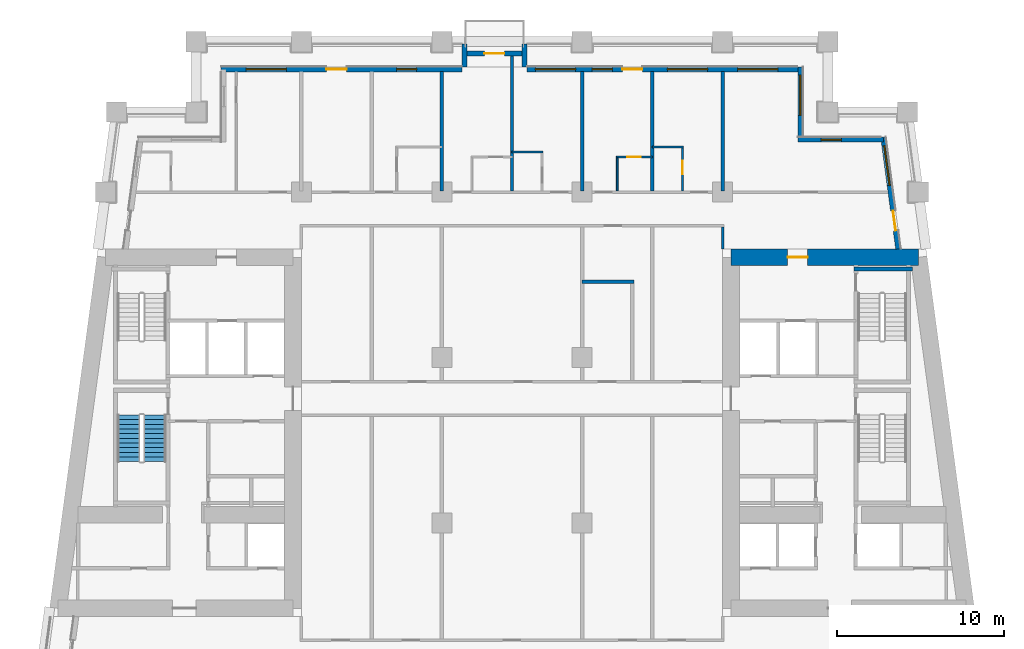
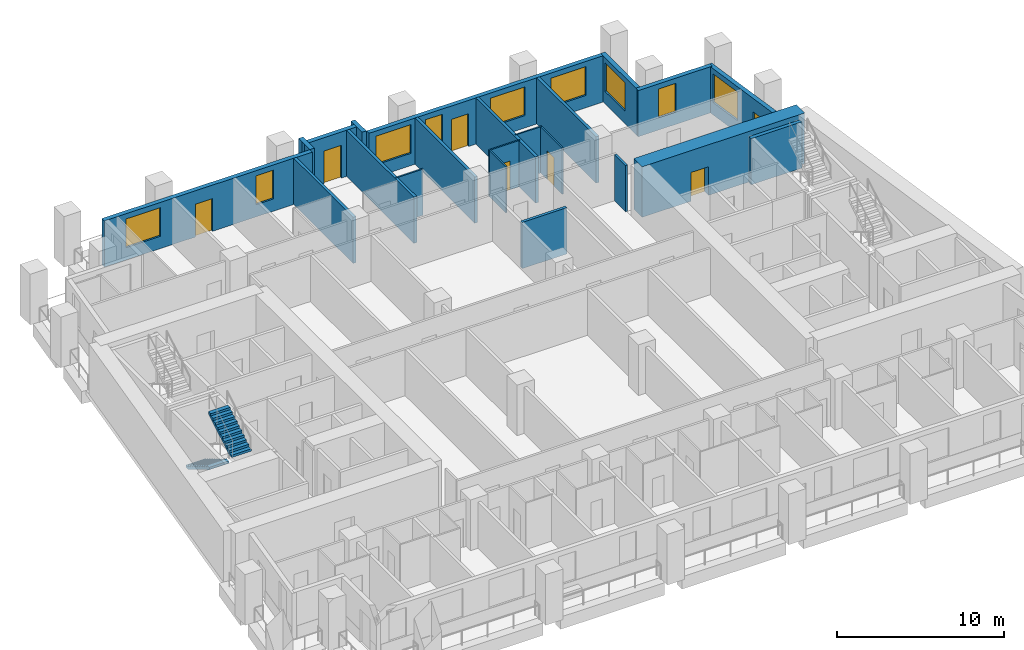
# One storey, part 8 of 14: 22 walls, 9 windows, 7 doors, 2 stair flights, 16 openings, 1 element without a shape of its own.
"""IFC4 building model written with IfcOpenShell, lengths in metres."""

from ifc_helpers import new_model, si_unit, direction, frame, frame_2d, origin, place, context, subcontext, project, spatial, polyline, rectangle, outline, extrude, material, layer, layer_set, type_object, element, fill, aggregate, save


model = new_model("IFC4")

# Units and contexts
model_context = context("Model", 3, precision=1e-05, world=origin(), true_north=direction((0.0, 1.0)))
body_context = subcontext(model_context, "Body", "Model", "MODEL_VIEW")
ifc_project = project(units=[si_unit("LENGTHUNIT", "METRE"), si_unit("AREAUNIT", "SQUARE_METRE"), si_unit("VOLUMEUNIT", "CUBIC_METRE"), si_unit("PLANEANGLEUNIT", "RADIAN"), si_unit("MASSUNIT", "GRAM", prefix="KILO")], contexts=[model_context])

# Site, building, storey
site_placement = place(None, origin())
site = spatial("IfcSite", under=ifc_project, at=site_placement, CompositionType="ELEMENT")
building_placement = place(site_placement, origin())
building = spatial("IfcBuilding", under=site, at=building_placement, Name="Candeia Pilgrim Tower and Theatre", CompositionType="ELEMENT")
storey_placement = place(building_placement, frame((0.0, 0.0, 120.60009765625)))
storey = spatial("IfcBuildingStorey", under=building, at=storey_placement, Name="L28", CompositionType="ELEMENT", Elevation=120.60009765625)

# Wall, opening, door
ifc_material_1 = material(Name="Concrete C70/85", Category="concrete")
ifc_layer_1 = layer(ifc_material_1, 1.0)
ifc_layer_set_1 = layer_set([ifc_layer_1], Name="Core wall 1000 C70/85")
wall_type_1 = type_object("IfcWallType", Name="Core wall 1000 C70/85", PredefinedType="SHEAR", material=ifc_layer_set_1)
wall_1_placement = place(storey_placement, frame((126.5, 131.89990234375, 0.0), z_axis=(0.0, 0.0, 1.0), x_axis=(1.0, 0.0, 0.0)))
wall_1 = element("IfcWall", 1, at=wall_1_placement, inside=storey, type_object=wall_type_1, Name="Core wall E1", PredefinedType="SHEAR", context=body_context, shape_type="SweptSolid", body=[
    extrude(rectangle(XDim=11.23193359375, YDim=1.0, at=frame_2d((5.615966796875, 0.0))), origin(), (0.0, 0.0, 1.0), 3.699951171875),
])
opening_1_placement = place(wall_1_placement, frame((3.386474609375, 0.0, 0.0)))
opening_1 = element("IfcOpeningElement", 2, at=opening_1_placement, cuts=wall_1, Name="Opening L28-D068", PredefinedType="OPENING", context=body_context, shape_type="SweptSolid", body=[
    extrude(rectangle(XDim=1.199951171875, YDim=2.10009765625, at=frame_2d((0.60009765625, 1.050048828125))), frame((0.0, 0.510009765625, 0.0), z_axis=(0.0, -1.0, 0.0), x_axis=(1.0, 0.0, 0.0)), (0.0, 0.0, 1.0), 1.02001953125),
])
ifc_material_2 = material(Name="Steel fire door set", Category="steel")
door_type_1 = type_object("IfcDoorType", Name="D-1200-FD60", OperationType="NOTDEFINED", PredefinedType="DOOR", material=ifc_material_2)
door_1_placement = place(opening_1_placement, origin())
door_1 = element("IfcDoor", 3, at=door_1_placement, inside=storey, type_object=door_type_1, Name="Door L28-D068", OperationType="SINGLE_SWING_RIGHT", OverallHeight=2.10009765625, OverallWidth=1.199951171875, PredefinedType="DOOR", context=body_context, shape_type="SweptSolid", body=[
    extrude(rectangle(XDim=1.199951171875, YDim=2.10009765625, at=frame_2d((0.60009765625, 1.050048828125))), frame((0.0, 0.02490234375, 0.0), z_axis=(0.0, -1.0, 0.0), x_axis=(1.0, 0.0, 0.0)), (0.0, 0.0, 1.0), 0.050048828125),
])
fill(opening_1, door_1)

# Wall, openings, door, window
ifc_material_3 = material(Name="Ceramic block masonry", Category="masonry")
ifc_layer_2 = layer(ifc_material_3, 0.300048828125)
ifc_layer_set_2 = layer_set([ifc_layer_2], Name="EW1 glazing-line wall 300")
wall_type_2 = type_object("IfcWallType", Name="EW1 glazing-line wall 300", PredefinedType="SOLIDWALL", material=ifc_layer_set_2)
wall_2_placement = place(storey_placement, frame((136.50439453125, 132.39990234375, 0.0), z_axis=(0.0, 0.0, 1.0), x_axis=(-0.133399697462, 0.99106231929, 0.0)))
wall_2 = element("IfcWall", 4, at=wall_2_placement, inside=storey, type_object=wall_type_2, Name="External wall L28-3.1", PredefinedType="SOLIDWALL", context=body_context, shape_type="SweptSolid", body=[
    extrude(rectangle(XDim=6.740478515625, YDim=0.300048828125, at=frame_2d((3.3701171875, 0.0))), origin(), (0.0, 0.0, 1.0), 3.3798828125),
])
opening_2_placement = place(wall_2_placement, frame((1.115234375, 0.0, 0.0)))
opening_2 = element("IfcOpeningElement", 5, at=opening_2_placement, cuts=wall_2, Name="Opening L28-ED284", PredefinedType="OPENING", context=body_context, shape_type="SweptSolid", body=[
    extrude(rectangle(XDim=1.199951171875, YDim=2.39990234375, at=frame_2d((0.60009765625, 1.199951171875))), frame((0.0, 0.16015625, 0.0), z_axis=(0.0, -1.0, 0.0), x_axis=(1.0, 0.0, 0.0)), (0.0, 0.0, 1.0), 0.320068359375),
])
opening_3_placement = place(wall_2_placement, frame((3.83544921875, 0.0, 0.89990234375)))
opening_3 = element("IfcOpeningElement", 6, at=opening_3_placement, cuts=wall_2, Name="Opening W-A", PredefinedType="OPENING", context=body_context, shape_type="SweptSolid", body=[
    extrude(rectangle(XDim=2.39990234375, YDim=2.10009765625, at=frame_2d((1.199951171875, 1.050048828125))), frame((0.0, 0.16015625, 0.0), z_axis=(0.0, -1.0, 0.0), x_axis=(1.0, 0.0, 0.0)), (0.0, 0.0, 1.0), 0.320068359375),
])
ifc_material_4 = material(Name="Aluminium framed glazed door", Category="aluminium")
door_type_2 = type_object("IfcDoorType", Name="Loggia door 1200x2400", OperationType="DOUBLE_DOOR_SINGLE_SWING", PredefinedType="DOOR", material=ifc_material_4)
door_2_placement = place(opening_2_placement, origin())
door_2 = element("IfcDoor", 7, at=door_2_placement, inside=storey, type_object=door_type_2, Name="Loggia door L28-ED284", OperationType="DOUBLE_DOOR_SINGLE_SWING", OverallHeight=2.39990234375, OverallWidth=1.199951171875, PredefinedType="DOOR", context=body_context, shape_type="SweptSolid", body=[
    extrude(rectangle(XDim=1.199951171875, YDim=2.39990234375, at=frame_2d((0.60009765625, 1.199951171875))), frame((0.0, 0.02490234375, 0.0), z_axis=(0.0, -1.0, 0.0), x_axis=(1.0, 0.0, 0.0)), (0.0, 0.0, 1.0), 0.050048828125),
])
fill(opening_2, door_2)
ifc_material_5 = material(Name="Aluminium framed double glazing", Category="aluminium")
window_type_1 = type_object("IfcWindowType", Name="W-A window 2400x2100", PartitioningType="DOUBLE_PANEL_VERTICAL", PredefinedType="WINDOW", material=ifc_material_5)
window_1_placement = place(opening_3_placement, origin())
window_1 = element("IfcWindow", 8, at=window_1_placement, inside=storey, type_object=window_type_1, Name="Window W-A L28", OverallHeight=2.10009765625, OverallWidth=2.39990234375, PartitioningType="SINGLE_PANEL", PredefinedType="WINDOW", context=body_context, shape_type="SweptSolid", body=[
    extrude(rectangle(XDim=2.39990234375, YDim=2.10009765625, at=frame_2d((1.199951171875, 1.050048828125))), frame((0.0, 0.030029296875, 0.0), z_axis=(0.0, -1.0, 0.0), x_axis=(1.0, 0.0, 0.0)), (0.0, 0.0, 1.0), 0.06005859375),
])
fill(opening_3, window_1)

# Wall, opening, window
wall_3_placement = place(storey_placement, frame((135.62255859375, 138.949951171875, 0.0), z_axis=(0.0, 0.0, 1.0), x_axis=(-1.0, 0.0, 0.0)))
wall_3 = element("IfcWall", 9, at=wall_3_placement, inside=storey, type_object=wall_type_2, Name="External wall L28-4.0", PredefinedType="SOLIDWALL", context=body_context, shape_type="SweptSolid", body=[
    extrude(rectangle(XDim=5.12255859375, YDim=0.300048828125, at=frame_2d((2.561279296875, 0.0))), origin(), (0.0, 0.0, 1.0), 3.3798828125),
])
opening_4_placement = place(wall_3_placement, frame((2.522705078125, 0.0, 0.89990234375)))
opening_4 = element("IfcOpeningElement", 10, at=opening_4_placement, cuts=wall_3, Name="Opening W-B", PredefinedType="OPENING", context=body_context, shape_type="SweptSolid", body=[
    extrude(rectangle(XDim=1.199951171875, YDim=2.10009765625, at=frame_2d((0.60009765625, 1.050048828125))), frame((0.0, 0.16015625, 0.0), z_axis=(0.0, -1.0, 0.0), x_axis=(1.0, 0.0, 0.0)), (0.0, 0.0, 1.0), 0.320068359375),
])
window_type_2 = type_object("IfcWindowType", Name="W-B window 1200x2100", PartitioningType="SINGLE_PANEL", PredefinedType="WINDOW", material=ifc_material_5)
window_2_placement = place(opening_4_placement, origin())
window_2 = element("IfcWindow", 11, at=window_2_placement, inside=storey, type_object=window_type_2, Name="Window W-B L28", OverallHeight=2.10009765625, OverallWidth=1.199951171875, PartitioningType="SINGLE_PANEL", PredefinedType="WINDOW", context=body_context, shape_type="SweptSolid", body=[
    extrude(rectangle(XDim=1.199951171875, YDim=2.10009765625, at=frame_2d((0.60009765625, 1.050048828125))), frame((0.0, 0.030029296875, 0.0), z_axis=(0.0, -1.0, 0.0), x_axis=(1.0, 0.0, 0.0)), (0.0, 0.0, 1.0), 0.06005859375),
])
fill(opening_4, window_2)

wall_4_placement = place(storey_placement, frame((130.64990234375, 138.949951171875, 0.0), z_axis=(0.0, 0.0, 1.0), x_axis=(0.0, 1.0, 0.0)))
wall_4 = element("IfcWall", 12, at=wall_4_placement, inside=storey, type_object=wall_type_2, Name="External wall L28-5.0", PredefinedType="SOLIDWALL", context=body_context, shape_type="SweptSolid", body=[
    extrude(rectangle(XDim=4.35009765625, YDim=0.300048828125, at=frame_2d((2.175048828125, 0.0))), origin(), (0.0, 0.0, 1.0), 3.3798828125),
])
opening_5_placement = place(wall_4_placement, frame((1.449951171875, 0.0, 0.89990234375)))
opening_5 = element("IfcOpeningElement", 13, at=opening_5_placement, cuts=wall_4, Name="Opening W-A", PredefinedType="OPENING", context=body_context, shape_type="SweptSolid", body=[
    extrude(rectangle(XDim=2.39990234375, YDim=2.10009765625, at=frame_2d((1.199951171875, 1.050048828125))), frame((0.0, 0.16015625, 0.0), z_axis=(0.0, -1.0, 0.0), x_axis=(1.0, 0.0, 0.0)), (0.0, 0.0, 1.0), 0.320068359375),
])
window_3_placement = place(opening_5_placement, origin())
window_3 = element("IfcWindow", 14, at=window_3_placement, inside=storey, type_object=window_type_1, Name="Window W-A L28", OverallHeight=2.10009765625, OverallWidth=2.39990234375, PartitioningType="SINGLE_PANEL", PredefinedType="WINDOW", context=body_context, shape_type="SweptSolid", body=[
    extrude(rectangle(XDim=2.39990234375, YDim=2.10009765625, at=frame_2d((1.199951171875, 1.050048828125))), frame((0.0, 0.030029296875, 0.0), z_axis=(0.0, -1.0, 0.0), x_axis=(1.0, 0.0, 0.0)), (0.0, 0.0, 1.0), 0.06005859375),
])
fill(opening_5, window_3)

# Wall, openings, door, windows
wall_5_placement = place(storey_placement, frame((130.64990234375, 143.14990234375, 0.0), z_axis=(0.0, 0.0, 1.0), x_axis=(-1.0, 0.0, 0.0)))
wall_5 = element("IfcWall", 15, at=wall_5_placement, inside=storey, type_object=wall_type_2, Name="External wall L28-6.0", PredefinedType="SOLIDWALL", context=body_context, shape_type="SweptSolid", body=[
    extrude(rectangle(XDim=16.349853515625, YDim=0.300048828125, at=frame_2d((8.1748046875, 0.0))), origin(), (0.0, 0.0, 1.0), 3.3798828125),
])
opening_6_placement = place(wall_5_placement, frame((1.35009765625, 0.0, 0.89990234375)))
opening_6 = element("IfcOpeningElement", 16, at=opening_6_placement, cuts=wall_5, Name="Opening W-A", PredefinedType="OPENING", context=body_context, shape_type="SweptSolid", body=[
    extrude(rectangle(XDim=2.39990234375, YDim=2.10009765625, at=frame_2d((1.199951171875, 1.050048828125))), frame((0.0, 0.16015625, 0.0), z_axis=(0.0, -1.0, 0.0), x_axis=(1.0, 0.0, 0.0)), (0.0, 0.0, 1.0), 0.320068359375),
])
opening_7_placement = place(wall_5_placement, frame((5.550048828125, 0.0, 0.89990234375)))
opening_7 = element("IfcOpeningElement", 17, at=opening_7_placement, cuts=wall_5, Name="Opening W-A", PredefinedType="OPENING", context=body_context, shape_type="SweptSolid", body=[
    extrude(rectangle(XDim=2.39990234375, YDim=2.10009765625, at=frame_2d((1.199951171875, 1.050048828125))), frame((0.0, 0.16015625, 0.0), z_axis=(0.0, -1.0, 0.0), x_axis=(1.0, 0.0, 0.0)), (0.0, 0.0, 1.0), 0.320068359375),
])
opening_8_placement = place(wall_5_placement, frame((9.449951171875, 0.0, 0.0)))
opening_8 = element("IfcOpeningElement", 18, at=opening_8_placement, cuts=wall_5, Name="Opening L28-ED285", PredefinedType="OPENING", context=body_context, shape_type="SweptSolid", body=[
    extrude(rectangle(XDim=1.199951171875, YDim=2.39990234375, at=frame_2d((0.60009765625, 1.199951171875))), frame((0.0, 0.16015625, 0.0), z_axis=(0.0, -1.0, 0.0), x_axis=(1.0, 0.0, 0.0)), (0.0, 0.0, 1.0), 0.320068359375),
])
opening_9_placement = place(wall_5_placement, frame((11.25, 0.0, 0.89990234375)))
opening_9 = element("IfcOpeningElement", 19, at=opening_9_placement, cuts=wall_5, Name="Opening W-B", PredefinedType="OPENING", context=body_context, shape_type="SweptSolid", body=[
    extrude(rectangle(XDim=1.199951171875, YDim=2.10009765625, at=frame_2d((0.60009765625, 1.050048828125))), frame((0.0, 0.16015625, 0.0), z_axis=(0.0, -1.0, 0.0), x_axis=(1.0, 0.0, 0.0)), (0.0, 0.0, 1.0), 0.320068359375),
])
opening_10_placement = place(wall_5_placement, frame((13.449951171875, 0.0, 0.89990234375)))
opening_10 = element("IfcOpeningElement", 20, at=opening_10_placement, cuts=wall_5, Name="Opening W-A", PredefinedType="OPENING", context=body_context, shape_type="SweptSolid", body=[
    extrude(rectangle(XDim=2.39990234375, YDim=2.10009765625, at=frame_2d((1.199951171875, 1.050048828125))), frame((0.0, 0.16015625, 0.0), z_axis=(0.0, -1.0, 0.0), x_axis=(1.0, 0.0, 0.0)), (0.0, 0.0, 1.0), 0.320068359375),
])
door_3_placement = place(opening_8_placement, origin())
door_3 = element("IfcDoor", 21, at=door_3_placement, inside=storey, type_object=door_type_2, Name="Loggia door L28-ED285", OperationType="DOUBLE_DOOR_SINGLE_SWING", OverallHeight=2.39990234375, OverallWidth=1.199951171875, PredefinedType="DOOR", context=body_context, shape_type="SweptSolid", body=[
    extrude(rectangle(XDim=1.199951171875, YDim=2.39990234375, at=frame_2d((0.60009765625, 1.199951171875))), frame((0.0, 0.02490234375, 0.0), z_axis=(0.0, -1.0, 0.0), x_axis=(1.0, 0.0, 0.0)), (0.0, 0.0, 1.0), 0.050048828125),
])
fill(opening_8, door_3)
window_4_placement = place(opening_6_placement, origin())
window_4 = element("IfcWindow", 22, at=window_4_placement, inside=storey, type_object=window_type_1, Name="Window W-A L28", OverallHeight=2.10009765625, OverallWidth=2.39990234375, PartitioningType="SINGLE_PANEL", PredefinedType="WINDOW", context=body_context, shape_type="SweptSolid", body=[
    extrude(rectangle(XDim=2.39990234375, YDim=2.10009765625, at=frame_2d((1.199951171875, 1.050048828125))), frame((0.0, 0.030029296875, 0.0), z_axis=(0.0, -1.0, 0.0), x_axis=(1.0, 0.0, 0.0)), (0.0, 0.0, 1.0), 0.06005859375),
])
fill(opening_6, window_4)
window_5_placement = place(opening_7_placement, origin())
window_5 = element("IfcWindow", 23, at=window_5_placement, inside=storey, type_object=window_type_1, Name="Window W-A L28", OverallHeight=2.10009765625, OverallWidth=2.39990234375, PartitioningType="SINGLE_PANEL", PredefinedType="WINDOW", context=body_context, shape_type="SweptSolid", body=[
    extrude(rectangle(XDim=2.39990234375, YDim=2.10009765625, at=frame_2d((1.199951171875, 1.050048828125))), frame((0.0, 0.030029296875, 0.0), z_axis=(0.0, -1.0, 0.0), x_axis=(1.0, 0.0, 0.0)), (0.0, 0.0, 1.0), 0.06005859375),
])
fill(opening_7, window_5)
window_6_placement = place(opening_10_placement, origin())
window_6 = element("IfcWindow", 24, at=window_6_placement, inside=storey, type_object=window_type_1, Name="Window W-A L28", OverallHeight=2.10009765625, OverallWidth=2.39990234375, PartitioningType="SINGLE_PANEL", PredefinedType="WINDOW", context=body_context, shape_type="SweptSolid", body=[
    extrude(rectangle(XDim=2.39990234375, YDim=2.10009765625, at=frame_2d((1.199951171875, 1.050048828125))), frame((0.0, 0.030029296875, 0.0), z_axis=(0.0, -1.0, 0.0), x_axis=(1.0, 0.0, 0.0)), (0.0, 0.0, 1.0), 0.06005859375),
])
fill(opening_10, window_6)
window_7_placement = place(opening_9_placement, origin())
window_7 = element("IfcWindow", 25, at=window_7_placement, inside=storey, type_object=window_type_2, Name="Window W-B L28", OverallHeight=2.10009765625, OverallWidth=1.199951171875, PartitioningType="SINGLE_PANEL", PredefinedType="WINDOW", context=body_context, shape_type="SweptSolid", body=[
    extrude(rectangle(XDim=1.199951171875, YDim=2.10009765625, at=frame_2d((0.60009765625, 1.050048828125))), frame((0.0, 0.030029296875, 0.0), z_axis=(0.0, -1.0, 0.0), x_axis=(1.0, 0.0, 0.0)), (0.0, 0.0, 1.0), 0.06005859375),
])
fill(opening_9, window_7)

wall_6_placement = place(storey_placement, frame((110.39990234375, 143.14990234375, 0.0), z_axis=(0.0, 0.0, 1.0), x_axis=(-1.0, 0.0, 0.0)))
wall_6 = element("IfcWall", 26, at=wall_6_placement, inside=storey, type_object=wall_type_2, Name="External wall L28-6.1", PredefinedType="SOLIDWALL", context=body_context, shape_type="SweptSolid", body=[
    extrude(rectangle(XDim=14.39990234375, YDim=0.300048828125, at=frame_2d((7.199951171875, 0.0))), origin(), (0.0, 0.0, 1.0), 3.3798828125),
])
opening_11_placement = place(wall_6_placement, frame((2.699951171875, 0.0, 0.89990234375)))
opening_11 = element("IfcOpeningElement", 27, at=opening_11_placement, cuts=wall_6, Name="Opening W-B", PredefinedType="OPENING", context=body_context, shape_type="SweptSolid", body=[
    extrude(rectangle(XDim=1.199951171875, YDim=2.10009765625, at=frame_2d((0.60009765625, 1.050048828125))), frame((0.0, 0.16015625, 0.0), z_axis=(0.0, -1.0, 0.0), x_axis=(1.0, 0.0, 0.0)), (0.0, 0.0, 1.0), 0.320068359375),
])
opening_12_placement = place(wall_6_placement, frame((6.89990234375, 0.0, 0.0)))
opening_12 = element("IfcOpeningElement", 28, at=opening_12_placement, cuts=wall_6, Name="Opening L28-ED286", PredefinedType="OPENING", context=body_context, shape_type="SweptSolid", body=[
    extrude(rectangle(XDim=1.199951171875, YDim=2.39990234375, at=frame_2d((0.60009765625, 1.199951171875))), frame((0.0, 0.16015625, 0.0), z_axis=(0.0, -1.0, 0.0), x_axis=(1.0, 0.0, 0.0)), (0.0, 0.0, 1.0), 0.320068359375),
])
opening_13_placement = place(wall_6_placement, frame((10.5, 0.0, 0.89990234375)))
opening_13 = element("IfcOpeningElement", 29, at=opening_13_placement, cuts=wall_6, Name="Opening W-A", PredefinedType="OPENING", context=body_context, shape_type="SweptSolid", body=[
    extrude(rectangle(XDim=2.39990234375, YDim=2.10009765625, at=frame_2d((1.199951171875, 1.050048828125))), frame((0.0, 0.16015625, 0.0), z_axis=(0.0, -1.0, 0.0), x_axis=(1.0, 0.0, 0.0)), (0.0, 0.0, 1.0), 0.320068359375),
])
door_4_placement = place(opening_12_placement, origin())
door_4 = element("IfcDoor", 30, at=door_4_placement, inside=storey, type_object=door_type_2, Name="Loggia door L28-ED286", OperationType="DOUBLE_DOOR_SINGLE_SWING", OverallHeight=2.39990234375, OverallWidth=1.199951171875, PredefinedType="DOOR", context=body_context, shape_type="SweptSolid", body=[
    extrude(rectangle(XDim=1.199951171875, YDim=2.39990234375, at=frame_2d((0.60009765625, 1.199951171875))), frame((0.0, 0.02490234375, 0.0), z_axis=(0.0, -1.0, 0.0), x_axis=(1.0, 0.0, 0.0)), (0.0, 0.0, 1.0), 0.050048828125),
])
fill(opening_12, door_4)
window_8_placement = place(opening_13_placement, origin())
window_8 = element("IfcWindow", 31, at=window_8_placement, inside=storey, type_object=window_type_1, Name="Window W-A L28", OverallHeight=2.10009765625, OverallWidth=2.39990234375, PartitioningType="SINGLE_PANEL", PredefinedType="WINDOW", context=body_context, shape_type="SweptSolid", body=[
    extrude(rectangle(XDim=2.39990234375, YDim=2.10009765625, at=frame_2d((1.199951171875, 1.050048828125))), frame((0.0, 0.030029296875, 0.0), z_axis=(0.0, -1.0, 0.0), x_axis=(1.0, 0.0, 0.0)), (0.0, 0.0, 1.0), 0.06005859375),
])
fill(opening_13, window_8)
window_9_placement = place(opening_11_placement, origin())
window_9 = element("IfcWindow", 32, at=window_9_placement, inside=storey, type_object=window_type_2, Name="Window W-B L28", OverallHeight=2.10009765625, OverallWidth=1.199951171875, PartitioningType="SINGLE_PANEL", PredefinedType="WINDOW", context=body_context, shape_type="SweptSolid", body=[
    extrude(rectangle(XDim=1.199951171875, YDim=2.10009765625, at=frame_2d((0.60009765625, 1.050048828125))), frame((0.0, 0.030029296875, 0.0), z_axis=(0.0, -1.0, 0.0), x_axis=(1.0, 0.0, 0.0)), (0.0, 0.0, 1.0), 0.06005859375),
])
fill(opening_11, window_9)

# Walls
ifc_layer_3 = layer(ifc_material_3, 0.300048828125)
ifc_layer_set_3 = layer_set([ifc_layer_3], Name="EW2 entrance infill wall 300")
wall_type_3 = type_object("IfcWallType", Name="EW2 entrance infill wall 300", PredefinedType="SOLIDWALL", material=ifc_layer_set_3)
for number, where, z_axis, x_axis, name in (
    (33, (114.14990234375, 143.300048828125, 0.0), (0.0, 0.0, 1.0), (0.0, 1.0, 0.0), "Alcove wall L28"),
    (34, (110.550048828125, 143.300048828125, 0.0), (0.0, 0.0, 1.0), (0.0, 1.0, 0.0), "Alcove wall L28"),
):
    element("IfcWall", number, at=place(storey_placement, frame(where, z_axis=z_axis, x_axis=x_axis)), inside=storey, type_object=wall_type_3, Name=name, PredefinedType="SOLIDWALL", context=body_context, shape_type="SweptSolid", body=[
        extrude(rectangle(XDim=1.349853515625, YDim=0.300048828125, at=frame_2d((0.6748046875, 0.0))), origin(), (0.0, 0.0, 1.0), 3.3798828125),
    ])

# Wall, opening, door
wall_7_placement = place(storey_placement, frame((114.300048828125, 144.10009765625, 0.0), z_axis=(0.0, 0.0, 1.0), x_axis=(-1.0, 0.0, 0.0)))
wall_7 = element("IfcWall", 35, at=wall_7_placement, inside=storey, type_object=wall_type_3, Name="Alcove wall L28", PredefinedType="SOLIDWALL", context=body_context, shape_type="SweptSolid", body=[
    extrude(rectangle(XDim=3.900146484375, YDim=0.300048828125, at=frame_2d((1.9501953125, 0.0))), origin(), (0.0, 0.0, 1.0), 3.3798828125),
])
opening_14_placement = place(wall_7_placement, frame((1.35009765625, 0.0, 0.0)))
opening_14 = element("IfcOpeningElement", 36, at=opening_14_placement, cuts=wall_7, Name="Opening L28-ED287", PredefinedType="OPENING", context=body_context, shape_type="SweptSolid", body=[
    extrude(rectangle(XDim=1.199951171875, YDim=2.39990234375, at=frame_2d((0.60009765625, 1.199951171875))), frame((0.0, 0.16015625, 0.0), z_axis=(0.0, -1.0, 0.0), x_axis=(1.0, 0.0, 0.0)), (0.0, 0.0, 1.0), 0.320068359375),
])
door_5_placement = place(opening_14_placement, origin())
door_5 = element("IfcDoor", 37, at=door_5_placement, inside=storey, type_object=door_type_2, Name="Balcony door L28-ED287", OperationType="DOUBLE_DOOR_SINGLE_SWING", OverallHeight=2.39990234375, OverallWidth=1.199951171875, PredefinedType="DOOR", context=body_context, shape_type="SweptSolid", body=[
    extrude(rectangle(XDim=1.199951171875, YDim=2.39990234375, at=frame_2d((0.60009765625, 1.199951171875))), frame((0.0, 0.02490234375, 0.0), z_axis=(0.0, -1.0, 0.0), x_axis=(1.0, 0.0, 0.0)), (0.0, 0.0, 1.0), 0.050048828125),
])
fill(opening_14, door_5)

ifc_material_6 = material(Name="Gypsum board partition on steel studs", Category="steel")
ifc_layer_4 = layer(ifc_material_6, 0.10009765625)
ifc_layer_set_4 = layer_set([ifc_layer_4], Name="PW-100 room partition")
wall_type_4 = type_object("IfcWallType", Name="PW-100 room partition", PredefinedType="PARTITIONING", material=ifc_layer_set_4)
wall_8_placement = place(storey_placement, frame((119.64990234375, 137.89990234375, 0.0), z_axis=(0.0, 0.0, 1.0), x_axis=(1.0, 0.0, 0.0)))
wall_8 = element("IfcWall", 38, at=wall_8_placement, inside=storey, type_object=wall_type_4, Name="Room partition L28-048", PredefinedType="PARTITIONING", context=body_context, shape_type="SweptSolid", body=[
    extrude(rectangle(XDim=2.150146484375, YDim=0.10009765625, at=frame_2d((1.0751953125, 0.0))), origin(), (0.0, 0.0, 1.0), 3.3798828125),
])
opening_15_placement = place(wall_8_placement, frame((0.639892578125, 0.0, 0.0)))
opening_15 = element("IfcOpeningElement", 39, at=opening_15_placement, cuts=wall_8, Name="Opening L28-D049", PredefinedType="OPENING", context=body_context, shape_type="SweptSolid", body=[
    extrude(rectangle(XDim=0.800048828125, YDim=2.10009765625, at=frame_2d((0.39990234375, 1.050048828125))), frame((0.0, 0.06005859375, 0.0), z_axis=(0.0, -1.0, 0.0), x_axis=(1.0, 0.0, 0.0)), (0.0, 0.0, 1.0), 0.1201171875),
])
ifc_material_7 = material(Name="Timber door leaf", Category="wood")
door_type_3 = type_object("IfcDoorType", Name="D-800", OperationType="NOTDEFINED", PredefinedType="DOOR", material=ifc_material_7)
door_6_placement = place(opening_15_placement, origin())
door_6 = element("IfcDoor", 40, at=door_6_placement, inside=storey, type_object=door_type_3, Name="Door L28-D049", OperationType="SINGLE_SWING_LEFT", OverallHeight=2.10009765625, OverallWidth=0.800048828125, PredefinedType="DOOR", context=body_context, shape_type="SweptSolid", body=[
    extrude(rectangle(XDim=0.800048828125, YDim=2.10009765625, at=frame_2d((0.39990234375, 1.050048828125))), frame((0.0, 0.02490234375, 0.0), z_axis=(0.0, -1.0, 0.0), x_axis=(1.0, 0.0, 0.0)), (0.0, 0.0, 1.0), 0.050048828125),
])
fill(opening_15, door_6)

# Walls
wall_9_placement = place(storey_placement, frame((113.39990234375, 138.199951171875, 0.0), z_axis=(0.0, 0.0, 1.0), x_axis=(1.0, 0.0, 0.0)))
element("IfcWall", 41, at=wall_9_placement, inside=storey, type_object=wall_type_4, Name="Room partition L28-050", PredefinedType="PARTITIONING", context=body_context, shape_type="SweptSolid", body=[
    extrude(rectangle(XDim=1.85009765625, YDim=0.10009765625, at=frame_2d((0.925048828125, 0.0))), origin(), (0.0, 0.0, 1.0), 3.3798828125),
])
wall_10_placement = place(storey_placement, frame((121.800048828125, 138.5, 0.0), z_axis=(0.0, 0.0, 1.0), x_axis=(1.0, 0.0, 0.0)))
element("IfcWall", 42, at=wall_10_placement, inside=storey, type_object=wall_type_4, Name="Room partition L28-052", PredefinedType="PARTITIONING", context=body_context, shape_type="SweptSolid", body=[
    extrude(rectangle(XDim=1.849853515625, YDim=0.10009765625, at=frame_2d((0.9248046875, 0.0))), origin(), (0.0, 0.0, 1.0), 3.3798828125),
])
wall_11_placement = place(storey_placement, frame((119.699951171875, 135.875, 0.0), z_axis=(0.0, 0.0, 1.0), x_axis=(0.0, 1.0, 0.0)))
element("IfcWall", 43, at=wall_11_placement, inside=storey, type_object=wall_type_4, Name="Room partition L28-101", PredefinedType="PARTITIONING", context=body_context, shape_type="SweptSolid", body=[
    extrude(rectangle(XDim=1.97509765625, YDim=0.10009765625, at=frame_2d((0.987548828125, 0.0))), origin(), (0.0, 0.0, 1.0), 3.3798828125),
])

# Wall, opening, door
wall_12_placement = place(storey_placement, frame((123.60009765625, 135.875, 0.0), z_axis=(0.0, 0.0, 1.0), x_axis=(0.0, 1.0, 0.0)))
wall_12 = element("IfcWall", 44, at=wall_12_placement, inside=storey, type_object=wall_type_4, Name="Room partition L28-109", PredefinedType="PARTITIONING", context=body_context, shape_type="SweptSolid", body=[
    extrude(rectangle(XDim=2.574951171875, YDim=0.10009765625, at=frame_2d((1.28759765625, 0.0))), origin(), (0.0, 0.0, 1.0), 3.3798828125),
])
opening_16_placement = place(wall_12_placement, frame((0.9951171875, 0.0, 0.0)))
opening_16 = element("IfcOpeningElement", 45, at=opening_16_placement, cuts=wall_12, Name="Opening L28-D051", PredefinedType="OPENING", context=body_context, shape_type="SweptSolid", body=[
    extrude(rectangle(XDim=0.800048828125, YDim=2.10009765625, at=frame_2d((0.39990234375, 1.050048828125))), frame((0.0, 0.06005859375, 0.0), z_axis=(0.0, -1.0, 0.0), x_axis=(1.0, 0.0, 0.0)), (0.0, 0.0, 1.0), 0.1201171875),
])
door_7_placement = place(opening_16_placement, origin())
door_7 = element("IfcDoor", 46, at=door_7_placement, inside=storey, type_object=door_type_3, Name="Door L28-D051", OperationType="SINGLE_SWING_LEFT", OverallHeight=2.10009765625, OverallWidth=0.800048828125, PredefinedType="DOOR", context=body_context, shape_type="SweptSolid", body=[
    extrude(rectangle(XDim=0.800048828125, YDim=2.10009765625, at=frame_2d((0.39990234375, 1.050048828125))), frame((0.0, 0.02490234375, 0.0), z_axis=(0.0, -1.0, 0.0), x_axis=(1.0, 0.0, 0.0)), (0.0, 0.0, 1.0), 0.050048828125),
])
fill(opening_16, door_7)

# Walls
ifc_layer_5 = layer(ifc_material_6, 0.14990234375)
ifc_layer_set_5 = layer_set([ifc_layer_5], Name="PW-150 unit wall")
wall_type_5 = type_object("IfcWallType", Name="PW-150 unit wall", PredefinedType="PARTITIONING", material=ifc_layer_set_5)
wall_13_placement = place(storey_placement, frame((126.0, 132.39990234375, 0.0), z_axis=(0.0, 0.0, 1.0), x_axis=(0.0, 1.0, 0.0)))
element("IfcWall", 47, at=wall_13_placement, inside=storey, type_object=wall_type_5, Name="Unit wall L28-113", PredefinedType="PARTITIONING", context=body_context, shape_type="SweptSolid", body=[
    extrude(rectangle(XDim=1.3251953125, YDim=0.14990234375, at=frame_2d((0.66259765625, 0.0))), origin(), (0.0, 0.0, 1.0), 3.3798828125),
])
ifc_layer_6 = layer(ifc_material_6, 0.199951171875)
ifc_layer_set_6 = layer_set([ifc_layer_6], Name="PW-200 party wall")
wall_type_6 = type_object("IfcWallType", Name="PW-200 party wall", PredefinedType="PARTITIONING", material=ifc_layer_set_6)
wall_14_placement = place(storey_placement, frame((117.60009765625, 130.449951171875, 0.0), z_axis=(0.0, 0.0, 1.0), x_axis=(1.0, 0.0, 0.0)))
element("IfcWall", 48, at=wall_14_placement, inside=storey, type_object=wall_type_6, Name="Party wall L28-042", PredefinedType="PARTITIONING", context=body_context, shape_type="SweptSolid", body=[
    extrude(rectangle(XDim=3.099853515625, YDim=0.199951171875, at=frame_2d((1.5498046875, 0.0))), origin(), (0.0, 0.0, 1.0), 3.3798828125),
])
wall_15_placement = place(storey_placement, frame((109.199951171875, 135.875, 0.0), z_axis=(0.0, 0.0, 1.0), x_axis=(0.0, 1.0, 0.0)))
element("IfcWall", 49, at=wall_15_placement, inside=storey, type_object=wall_type_6, Name="Party wall L28-090", PredefinedType="PARTITIONING", context=body_context, shape_type="SweptSolid", body=[
    extrude(rectangle(XDim=7.135009765625, YDim=0.199951171875, at=frame_2d((3.5673828125, 0.0))), origin(), (0.0, 0.0, 1.0), 3.3798828125),
])
wall_16_placement = place(storey_placement, frame((113.39990234375, 135.875, 0.0), z_axis=(0.0, 0.0, 1.0), x_axis=(0.0, 1.0, 0.0)))
element("IfcWall", 50, at=wall_16_placement, inside=storey, type_object=wall_type_6, Name="Party wall L28-094", PredefinedType="PARTITIONING", context=body_context, shape_type="SweptSolid", body=[
    extrude(rectangle(XDim=8.0849609375, YDim=0.199951171875, at=frame_2d((4.04248046875, 0.0))), origin(), (0.0, 0.0, 1.0), 3.3798828125),
])
for number, where, z_axis, x_axis, name in (
    (51, (117.60009765625, 135.875, 0.0), (0.0, 0.0, 1.0), (0.0, 1.0, 0.0), "Party wall L28-100"),
    (52, (121.800048828125, 135.875, 0.0), (0.0, 0.0, 1.0), (0.0, 1.0, 0.0), "Party wall L28-107"),
    (53, (126.0, 135.875, 0.0), (0.0, 0.0, 1.0), (0.0, 1.0, 0.0), "Party wall L28-111"),
):
    element("IfcWall", number, at=place(storey_placement, frame(where, z_axis=z_axis, x_axis=x_axis)), inside=storey, type_object=wall_type_6, Name=name, PredefinedType="PARTITIONING", context=body_context, shape_type="SweptSolid", body=[
        extrude(rectangle(XDim=7.135009765625, YDim=0.199951171875, at=frame_2d((3.5673828125, 0.0))), origin(), (0.0, 0.0, 1.0), 3.3798828125),
    ])
ifc_material_8 = material(Name="Concrete C40/50", Category="concrete")
ifc_layer_7 = layer(ifc_material_8, 0.25)
ifc_layer_set_7 = layer_set([ifc_layer_7], Name="SW-250 stair wall")
wall_type_7 = type_object("IfcWallType", Name="SW-250 stair wall", PredefinedType="PARTITIONING", material=ifc_layer_set_7)
wall_17_placement = place(storey_placement, frame((133.847900390625, 131.199951171875, 0.0), z_axis=(0.0, 0.0, 1.0), x_axis=(1.0, 0.0, 0.0)))
element("IfcWall", 54, at=wall_17_placement, inside=storey, type_object=wall_type_7, Name="Stair wall L28-044", PredefinedType="PARTITIONING", context=body_context, shape_type="SweptSolid", body=[
    extrude(rectangle(XDim=3.50390625, YDim=0.25, at=frame_2d((1.751953125, 0.0))), origin(), (0.0, 0.0, 1.0), 3.3798828125),
])

# Stair, stair flights
stair_type = type_object("IfcStairType", Name="ST-TWR dog-leg escape stair", PredefinedType="HALF_TURN_STAIR", material=ifc_material_8)
stair_placement = place(storey_placement, origin())
stair = element("IfcStair", 55, at=stair_placement, inside=storey, type_object=stair_type, Name="L28 Escape stair ST1", PredefinedType="HALF_TURN_STAIR")
stair_flight_type = type_object("IfcStairFlightType", Name="SFL-RC stair flight", PredefinedType="STRAIGHT", material=ifc_material_8)
stair_flight_1_placement = place(storey_placement, frame((90.47705078125, 122.47509765625, 0.0), z_axis=(0.0, 0.0, 1.0), x_axis=(0.0, -1.0, 0.0)))
stair_flight_1 = element("IfcStairFlight", 56, at=stair_flight_1_placement, type_object=stair_flight_type, Name="ST1 flight 1", NumberOfRisers=11, NumberOfTreads=10, PredefinedType="STRAIGHT", RiserHeight=0.168181818, TreadLength=0.28, context=body_context, shape_type="SweptSolid", body=[
    extrude(outline(polyline([(0.0, 0.0), (0.0, 0.168212890625), (0.280029296875, 0.168212890625), (0.280029296875, 0.33642578125), (0.56005859375, 0.33642578125), (0.56005859375, 0.504638671875), (0.840087890625, 0.504638671875), (0.840087890625, 0.672607421875), (1.1201171875, 0.672607421875), (1.1201171875, 0.8408203125), (1.39990234375, 0.8408203125), (1.39990234375, 1.009033203125), (1.679931640625, 1.009033203125), (1.679931640625, 1.17724609375), (1.9599609375, 1.17724609375), (1.9599609375, 1.345458984375), (2.239990234375, 1.345458984375), (2.239990234375, 1.513671875), (2.52001953125, 1.513671875), (2.52001953125, 1.681884765625), (2.800048828125, 1.681884765625), (2.800048828125, 1.85009765625), (2.800048828125, 1.5068359375), (0.291015625, 0.0), (0.0, 0.0)])), frame((0.0, 0.675048828125, 0.0), z_axis=(0.0, -1.0, 0.0), x_axis=(1.0, 0.0, 0.0)), (0.0, 0.0, 1.0), 1.35009765625),
])
stair_flight_2_placement = place(storey_placement, frame((92.027099609375, 119.675048828125, 1.849853515625), z_axis=(0.0, 0.0, 1.0), x_axis=(0.0, 1.0, 0.0)))
stair_flight_2 = element("IfcStairFlight", 57, at=stair_flight_2_placement, type_object=stair_flight_type, Name="ST1 flight 2", NumberOfRisers=11, NumberOfTreads=10, PredefinedType="STRAIGHT", RiserHeight=0.168181818, TreadLength=0.28, context=body_context, shape_type="SweptSolid", body=[
    extrude(outline(polyline([(0.0, 0.0), (0.0, 0.168212890625), (0.280029296875, 0.168212890625), (0.280029296875, 0.33642578125), (0.56005859375, 0.33642578125), (0.56005859375, 0.504638671875), (0.840087890625, 0.504638671875), (0.840087890625, 0.672607421875), (1.1201171875, 0.672607421875), (1.1201171875, 0.8408203125), (1.39990234375, 0.8408203125), (1.39990234375, 1.009033203125), (1.679931640625, 1.009033203125), (1.679931640625, 1.17724609375), (1.9599609375, 1.17724609375), (1.9599609375, 1.345458984375), (2.239990234375, 1.345458984375), (2.239990234375, 1.513671875), (2.52001953125, 1.513671875), (2.52001953125, 1.681884765625), (2.800048828125, 1.681884765625), (2.800048828125, 1.85009765625), (2.800048828125, 1.5068359375), (0.291015625, 0.0), (0.0, 0.0)])), frame((0.0, 0.675048828125, 0.0), z_axis=(0.0, -1.0, 0.0), x_axis=(1.0, 0.0, 0.0)), (0.0, 0.0, 1.0), 1.35009765625),
])
aggregate(stair, [stair_flight_1, stair_flight_2])

save(model, "model.ifc")
